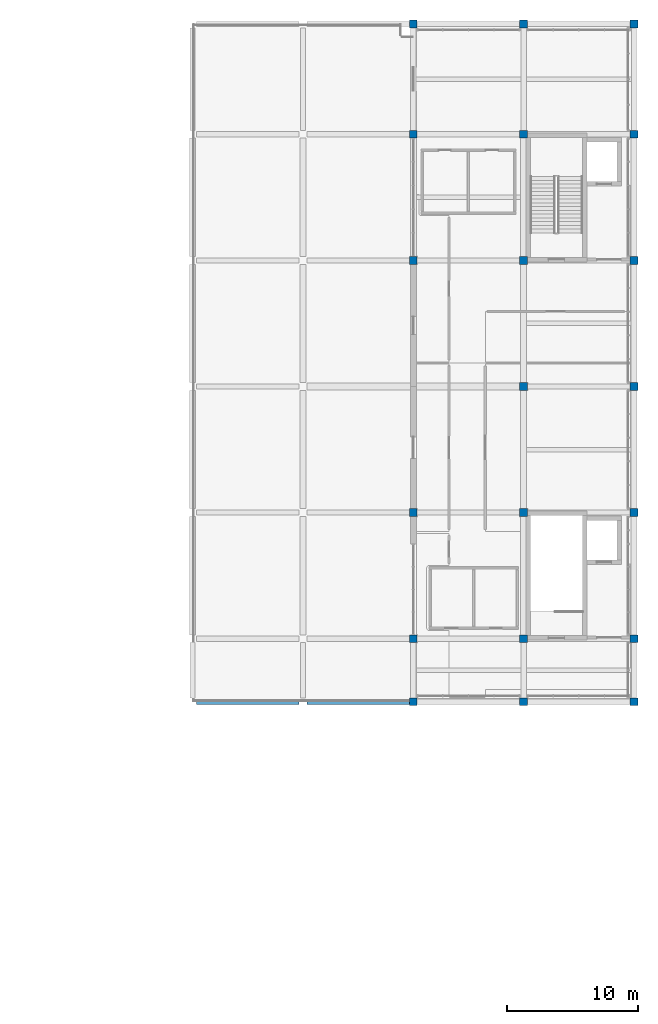
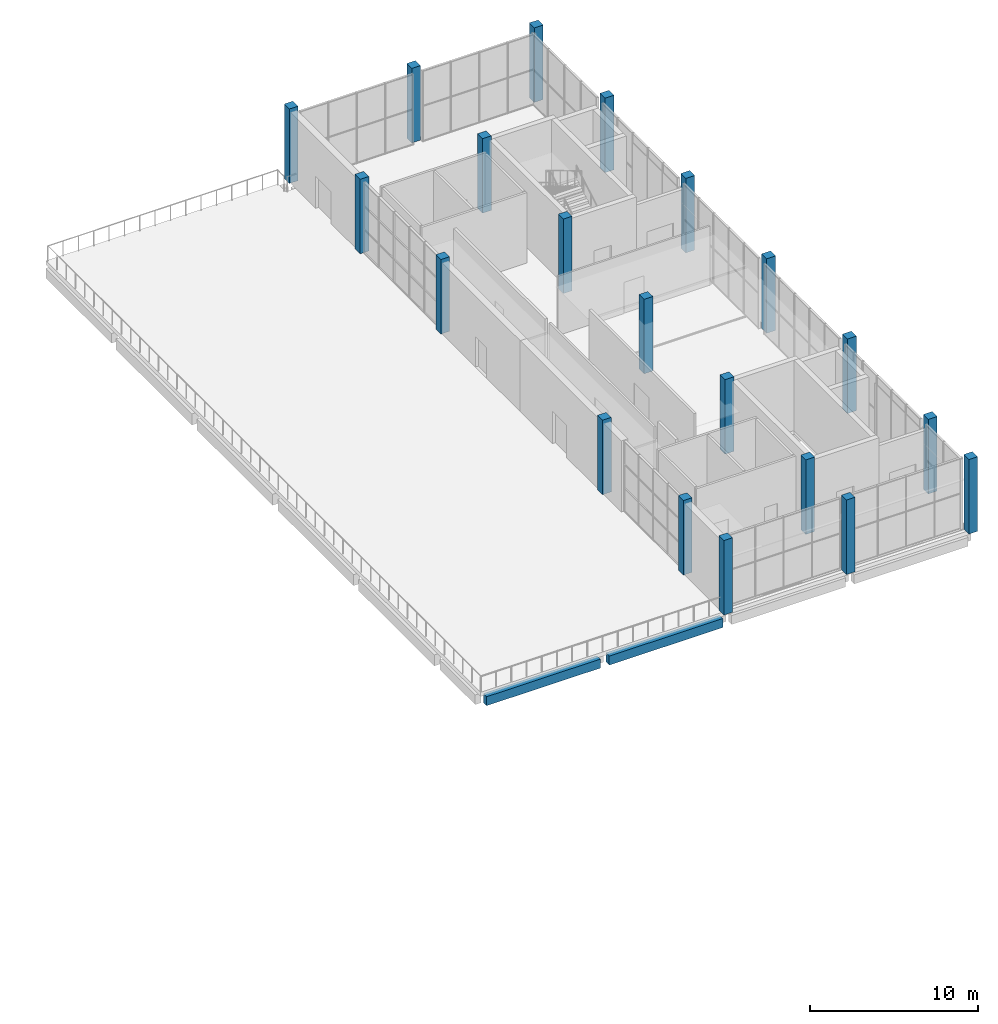
# One storey, part 1 of 15: 20 columns, 2 beams.
"""IFC4 building model written with IfcOpenShell, lengths in metres."""

from ifc_helpers import new_model, si_unit, direction, frame, origin, origin_2d, place, context, subcontext, project, spatial, rectangle, extrude, material, material_profile, profile_set, type_object, element, save


model = new_model("IFC4")

# Units and contexts
model_context = context("Model", 3, precision=1e-05, world=origin(), true_north=direction((0.0, 1.0)))
body_context = subcontext(model_context, "Body", "Model", "MODEL_VIEW")
ifc_project = project(units=[si_unit("LENGTHUNIT", "METRE"), si_unit("AREAUNIT", "SQUARE_METRE"), si_unit("VOLUMEUNIT", "CUBIC_METRE"), si_unit("PLANEANGLEUNIT", "RADIAN"), si_unit("MASSUNIT", "GRAM", prefix="KILO")], contexts=[model_context])

# Site, building, storey
site_placement = place(None, origin())
site = spatial("IfcSite", under=ifc_project, at=site_placement, CompositionType="ELEMENT")
building_placement = place(site_placement, origin())
building = spatial("IfcBuilding", under=site, at=building_placement, Name="Shalvenor Court Art Gallery", CompositionType="ELEMENT")
storey_placement = place(building_placement, frame((0.0, 0.0, 27.0)))
storey = spatial("IfcBuildingStorey", under=building, at=storey_placement, Name="L05", CompositionType="ELEMENT", Elevation=27.0)

# Columns
ifc_material_1 = material(Name="Concrete C40/50", Category="concrete")
ifc_material_profile_1 = material_profile(ifc_material_1, rectangle(XDim=0.60009765625, YDim=0.60009765625, at=origin_2d()), Name="RC 600x600")
ifc_profile_set_1 = profile_set([ifc_material_profile_1], Name="Concrete C40/50")
column_type_1 = type_object("IfcColumnType", Name="C-03", PredefinedType="COLUMN", material=ifc_profile_set_1)
for number, where, z_axis, x_axis, name in (
    (1, (159.60009765625, 45.60009765625, 0.0), (0.0, 0.0, 1.0), (1.0, 0.0, 0.0), "L05 Column COL-L05-C-03-0641"),
    (2, (159.60009765625, 50.39990234375, 0.0), (0.0, 0.0, 1.0), (1.0, 0.0, 0.0), "L05 Column COL-L05-C-03-0648"),
    (3, (159.60009765625, 60.0, 0.0), (0.0, 0.0, 1.0), (1.0, 0.0, 0.0), "L05 Column COL-L05-C-03-0655"),
    (4, (159.60009765625, 79.199951171875, 0.0), (0.0, 0.0, 1.0), (1.0, 0.0, 0.0), "L05 Column COL-L05-C-03-0662"),
    (5, (159.60009765625, 88.800048828125, 0.0), (0.0, 0.0, 1.0), (1.0, 0.0, 0.0), "L05 Column COL-L05-C-03-0669"),
    (6, (168.0, 45.60009765625, 0.0), (0.0, 0.0, 1.0), (1.0, 0.0, 0.0), "L05 Column COL-L05-C-03-0683"),
    (7, (168.0, 50.39990234375, 0.0), (0.0, 0.0, 1.0), (1.0, 0.0, 0.0), "L05 Column COL-L05-C-03-0690"),
    (8, (168.0, 60.0, 0.0), (0.0, 0.0, 1.0), (1.0, 0.0, 0.0), "L05 Column COL-L05-C-03-0697"),
    (9, (168.0, 69.60009765625, 0.0), (0.0, 0.0, 1.0), (1.0, 0.0, 0.0), "L05 Column COL-L05-C-03-0704"),
    (10, (168.0, 79.199951171875, 0.0), (0.0, 0.0, 1.0), (1.0, 0.0, 0.0), "L05 Column COL-L05-C-03-0711"),
    (11, (168.0, 88.800048828125, 0.0), (0.0, 0.0, 1.0), (1.0, 0.0, 0.0), "L05 Column COL-L05-C-03-0718"),
):
    element("IfcColumn", number, at=place(storey_placement, frame(where, z_axis=z_axis, x_axis=x_axis)), inside=storey, type_object=column_type_1, Name=name, PredefinedType="COLUMN", context=body_context, shape_type="SweptSolid", body=[
        extrude(rectangle(XDim=0.60009765625, YDim=0.60009765625, at=origin_2d()), origin(), (0.0, 0.0, 1.0), 5.39990234375),
    ])
ifc_material_2 = material(Name="Concrete C40/50", Category="concrete")
ifc_material_profile_2 = material_profile(ifc_material_2, rectangle(XDim=0.60009765625, YDim=0.60009765625, at=origin_2d()), Name="RC 600x600")
ifc_profile_set_2 = profile_set([ifc_material_profile_2], Name="Concrete C40/50")
column_type_2 = type_object("IfcColumnType", Name="C-03E", PredefinedType="COLUMN", material=ifc_profile_set_2)
for number, where, z_axis, x_axis, name in (
    (12, (159.60009765625, 97.199951171875, 0.0), (0.0, 0.0, 1.0), (1.0, 0.0, 0.0), "L05 Column COL-L05-C-03E-0676"),
    (13, (168.0, 97.199951171875, 0.0), (0.0, 0.0, 1.0), (1.0, 0.0, 0.0), "L05 Column COL-L05-C-03E-0725"),
    (14, (176.39990234375, 45.60009765625, 0.0), (0.0, 0.0, 1.0), (1.0, 0.0, 0.0), "L05 Column COL-L05-C-03E-0732"),
    (15, (176.39990234375, 50.39990234375, 0.0), (0.0, 0.0, 1.0), (1.0, 0.0, 0.0), "L05 Column COL-L05-C-03E-0739"),
    (16, (176.39990234375, 60.0, 0.0), (0.0, 0.0, 1.0), (1.0, 0.0, 0.0), "L05 Column COL-L05-C-03E-0746"),
    (17, (176.39990234375, 69.60009765625, 0.0), (0.0, 0.0, 1.0), (1.0, 0.0, 0.0), "L05 Column COL-L05-C-03E-0753"),
    (18, (176.39990234375, 79.199951171875, 0.0), (0.0, 0.0, 1.0), (1.0, 0.0, 0.0), "L05 Column COL-L05-C-03E-0760"),
    (19, (176.39990234375, 88.800048828125, 0.0), (0.0, 0.0, 1.0), (1.0, 0.0, 0.0), "L05 Column COL-L05-C-03E-0767"),
    (20, (176.39990234375, 97.199951171875, 0.0), (0.0, 0.0, 1.0), (1.0, 0.0, 0.0), "L05 Column COL-L05-C-03E-0774"),
):
    element("IfcColumn", number, at=place(storey_placement, frame(where, z_axis=z_axis, x_axis=x_axis)), inside=storey, type_object=column_type_2, Name=name, PredefinedType="COLUMN", context=body_context, shape_type="SweptSolid", body=[
        extrude(rectangle(XDim=0.60009765625, YDim=0.60009765625, at=origin_2d()), origin(), (0.0, 0.0, 1.0), 5.39990234375),
    ])

# Beams
ifc_material_3 = material(Name="Concrete C40/50", Category="concrete")
ifc_material_profile_3 = material_profile(ifc_material_3, rectangle(XDim=0.39990234375, YDim=0.64990234375, at=origin_2d()), Name="RC 400x650")
ifc_profile_set_3 = profile_set([ifc_material_profile_3], Name="Concrete C40/50")
beam_type = type_object("IfcBeamType", Name="B-06", PredefinedType="BEAM", material=ifc_profile_set_3)
beam_1_placement = place(storey_placement, frame((143.10009765625, 45.60009765625, -0.625), z_axis=(1.0, 0.0, 0.0), x_axis=(0.0, 1.0, 0.0)))
element("IfcBeam", 21, at=beam_1_placement, inside=storey, type_object=beam_type, Name="L05 Girder BM-L05-B-06-1300", PredefinedType="BEAM", context=body_context, shape_type="SweptSolid", body=[
    extrude(rectangle(XDim=0.39990234375, YDim=0.64990234375, at=origin_2d()), origin(), (0.0, 0.0, 1.0), 7.7998046875),
])
beam_2_placement = place(storey_placement, frame((151.5, 45.60009765625, -0.625), z_axis=(1.0, 0.0, 0.0), x_axis=(0.0, 1.0, 0.0)))
element("IfcBeam", 22, at=beam_2_placement, inside=storey, type_object=beam_type, Name="L05 Girder BM-L05-B-06-1301", PredefinedType="BEAM", context=body_context, shape_type="SweptSolid", body=[
    extrude(rectangle(XDim=0.39990234375, YDim=0.64990234375, at=origin_2d()), origin(), (0.0, 0.0, 1.0), 7.800048828125),
])

save(model, "model.ifc")
